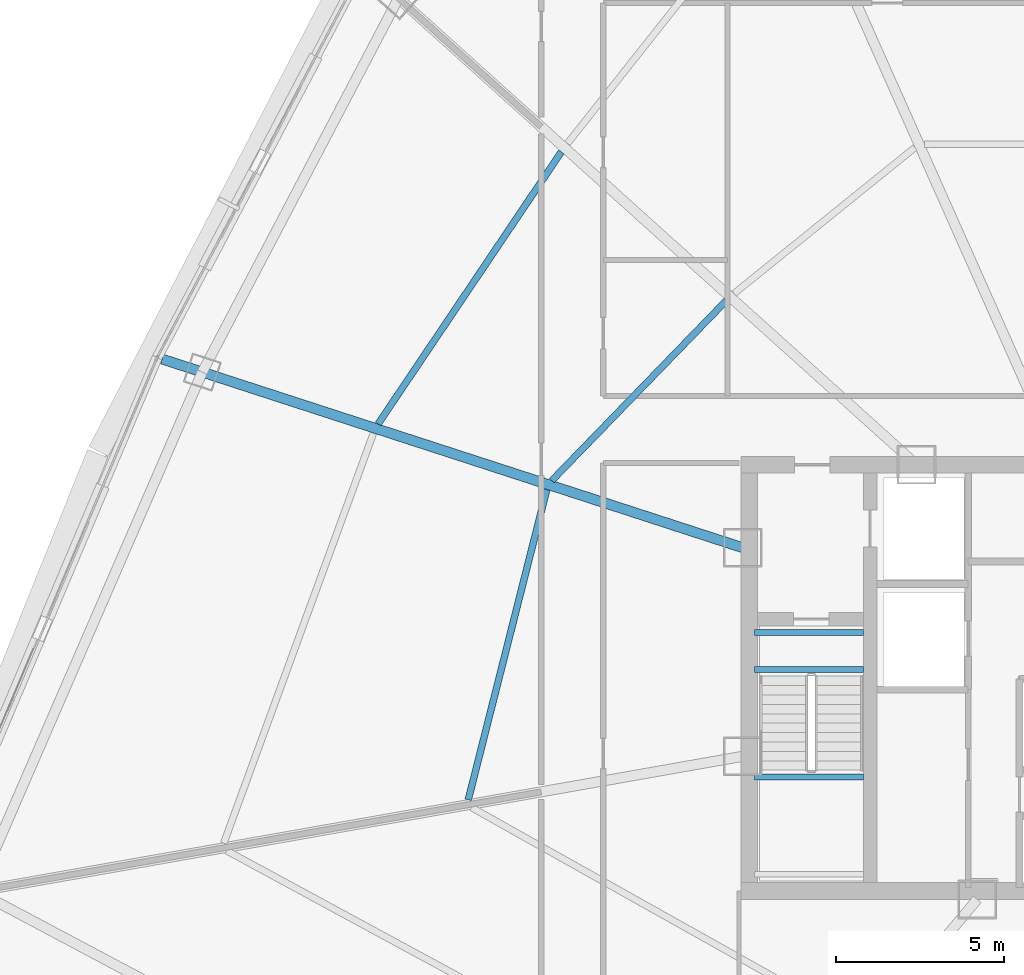
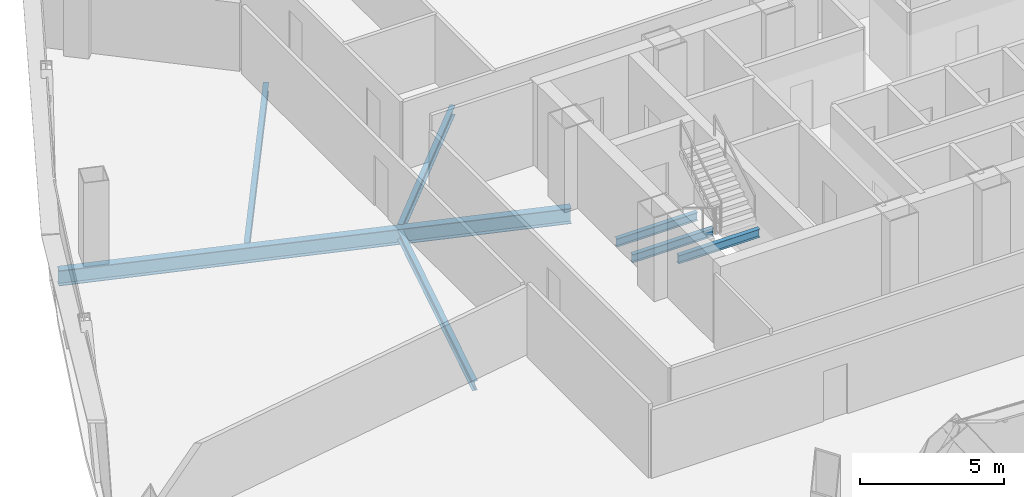
# One storey, part 9 of 36: 7 beams.
"""IFC4 building model written with IfcOpenShell, lengths in metres."""

from ifc_helpers import new_model, si_unit, direction, frame, origin, origin_2d, place, context, subcontext, project, spatial, i_section, extrude, source, transform, mapped, material, material_profile, profile_set, type_object, element, save


model = new_model("IFC4")

# Units and contexts
model_context = context("Model", 3, precision=1e-05, world=origin(), true_north=direction((0.0, 1.0)))
body_context = subcontext(model_context, "Body", "Model", "MODEL_VIEW")
ifc_project = project(units=[si_unit("LENGTHUNIT", "METRE"), si_unit("AREAUNIT", "SQUARE_METRE"), si_unit("VOLUMEUNIT", "CUBIC_METRE"), si_unit("PLANEANGLEUNIT", "RADIAN"), si_unit("MASSUNIT", "GRAM", prefix="KILO"), si_unit("THERMODYNAMICTEMPERATUREUNIT", "KELVIN"), si_unit("POWERUNIT", "WATT")], contexts=[model_context])

# Site, building, storey
site_placement = place(None, origin())
site = spatial("IfcSite", under=ifc_project, at=site_placement, CompositionType="ELEMENT")
building_placement = place(site_placement, origin())
building = spatial("IfcBuilding", under=site, at=building_placement, Name="Yunzhuo Pagoda Commons", CompositionType="ELEMENT")
storey_placement = place(building_placement, frame((0.0, 0.0, 211.360107421875)))
storey = spatial("IfcBuildingStorey", under=building, at=storey_placement, Name="L53", CompositionType="ELEMENT", Elevation=211.360107421875)

# Beams
ifc_material = material(Name="Structural steel Q355B", Category="steel")
ifc_material_profile_1 = material_profile(ifc_material, i_section(OverallWidth=0.175048828125, OverallDepth=0.35009765625, WebThickness=0.007080078125, FlangeThickness=0.010986328125, at=origin_2d()), Name="Structural steel Q355B")
ifc_profile_set_1 = profile_set([ifc_material_profile_1], Name="Structural steel Q355B")
beam_type_1 = type_object("IfcBeamType", Name="B-JS2 Joist HN 350x175x7x11", PredefinedType="JOIST", material=ifc_profile_set_1)
shared_shape_1 = source(origin(), body_context, "Body", "SweptSolid", [
    extrude(i_section(OverallWidth=0.175048828125, OverallDepth=0.35009765625, WebThickness=0.007080078125, FlangeThickness=0.010986328125, at=origin_2d()), origin(), (0.0, 0.0, 1.0), 3.25),
])
for number, where, z_axis, x_axis, name in (
    (1, (35.949951171875, 30.89990234375, 1.52490234375), (1.0, 0.0, 0.0), (0.0, 1.0, 0.0), "L53 ST1 landing support beam 59B"),
    (2, (35.949951171875, 34.10009765625, -0.375), (1.0, 0.0, 0.0), (0.0, 1.0, 0.0), "L53 ST1 landing support beam 157A"),
    (3, (35.949951171875, 35.199951171875, -0.375), (1.0, 0.0, 0.0), (0.0, 1.0, 0.0), "L53 ST1 landing support beam 157B"),
):
    element("IfcBeam", number, at=place(storey_placement, frame(where, z_axis=z_axis, x_axis=x_axis)), inside=storey, type_object=beam_type_1, Name=name, PredefinedType="JOIST", context=body_context, shape_type="MappedRepresentation", body=[
        mapped(shared_shape_1, transform((0.0, 0.0, 0.0), scale=1.0)),
    ])
ifc_material_profile_2 = material_profile(ifc_material, i_section(OverallWidth=0.199951171875, OverallDepth=0.39990234375, WebThickness=0.008056640625, FlangeThickness=0.012939453125, at=origin_2d()), Name="Structural steel Q355B")
ifc_profile_set_2 = profile_set([ifc_material_profile_2], Name="Structural steel Q355B")
beam_type_2 = type_object("IfcBeamType", Name="B-JS1 Joist HN 400x200x8x13", PredefinedType="JOIST", material=ifc_profile_set_2)
shared_shape_2 = source(origin(), body_context, "Body", "SweptSolid", [
    extrude(i_section(OverallWidth=0.199951171875, OverallDepth=0.39990234375, WebThickness=0.008056640625, FlangeThickness=0.012939453125, at=origin_2d()), origin(), (0.0, 0.0, 1.0), 9.529052734375),
])
beam_1_placement = place(storey_placement, frame((29.766845703125, 39.457763671875, -0.460205078125), z_axis=(-0.245367921097, -0.969430030119, 0.0), x_axis=(0.969430030119, -0.245367921097, 0.0)))
element("IfcBeam", 4, at=beam_1_placement, inside=storey, type_object=beam_type_2, Name="L53 composite ring joist 1.11", PredefinedType="JOIST", context=body_context, shape_type="MappedRepresentation", body=[
    mapped(shared_shape_2, transform((0.0, 0.0, 0.0), scale=1.0)),
])
shared_shape_3 = source(origin(), body_context, "Body", "SweptSolid", [
    extrude(i_section(OverallWidth=0.199951171875, OverallDepth=0.39990234375, WebThickness=0.008056640625, FlangeThickness=0.012939453125, at=origin_2d()), origin(), (0.0, 0.0, 1.0), 7.46826171875),
])
beam_2_placement = place(storey_placement, frame((35.114990234375, 45.087890625, -0.460205078125), z_axis=(-0.696070782679, -0.717973164889, 0.0), x_axis=(0.717973164889, -0.696070782679, 0.0)))
element("IfcBeam", 5, at=beam_2_placement, inside=storey, type_object=beam_type_2, Name="L53 composite ring joist 1.10", PredefinedType="JOIST", context=body_context, shape_type="MappedRepresentation", body=[
    mapped(shared_shape_3, transform((0.0, 0.0, 0.0), scale=1.0)),
])
shared_shape_4 = source(origin(), body_context, "Body", "SweptSolid", [
    extrude(i_section(OverallWidth=0.199951171875, OverallDepth=0.39990234375, WebThickness=0.008056640625, FlangeThickness=0.012939453125, at=origin_2d()), origin(), (0.0, 0.0, 1.0), 9.764892578125),
])
beam_3_placement = place(storey_placement, frame((30.198486328125, 49.5166015625, -0.460205078125), z_axis=(-0.558548425455, -0.829471914185, 0.0), x_axis=(0.829471914185, -0.558548425455, 0.0)))
element("IfcBeam", 6, at=beam_3_placement, inside=storey, type_object=beam_type_2, Name="L53 composite ring joist 2.10", PredefinedType="JOIST", context=body_context, shape_type="MappedRepresentation", body=[
    mapped(shared_shape_4, transform((0.0, 0.0, 0.0), scale=1.0)),
])
ifc_material_profile_3 = material_profile(ifc_material, i_section(OverallWidth=0.300048828125, OverallDepth=0.64990234375, WebThickness=0.012939453125, FlangeThickness=0.02197265625, at=origin_2d()), Name="Structural steel Q355B")
ifc_profile_set_3 = profile_set([ifc_material_profile_3], Name="Structural steel Q355B")
beam_type_3 = type_object("IfcBeamType", Name="B-RG2 Beam HN 650x300x13x22", PredefinedType="BEAM", material=ifc_profile_set_3)
shared_shape_5 = source(origin(), body_context, "Body", "SweptSolid", [
    extrude(i_section(OverallWidth=0.300048828125, OverallDepth=0.64990234375, WebThickness=0.012939453125, FlangeThickness=0.02197265625, at=origin_2d()), origin(), (0.0, 0.0, 1.0), 18.180908203125),
])
beam_4_placement = place(storey_placement, frame((18.30908203125, 43.34716796875, -0.585205078125), z_axis=(0.951056960539, -0.309015627131, 0.0), x_axis=(0.309015627131, 0.951056960539, 0.0)))
element("IfcBeam", 7, at=beam_4_placement, inside=storey, type_object=beam_type_3, Name="L53 radial floor girder F3C3", PredefinedType="BEAM", context=body_context, shape_type="MappedRepresentation", body=[
    mapped(shared_shape_5, transform((0.0, 0.0, 0.0), scale=1.0)),
])

save(model, "model.ifc")
